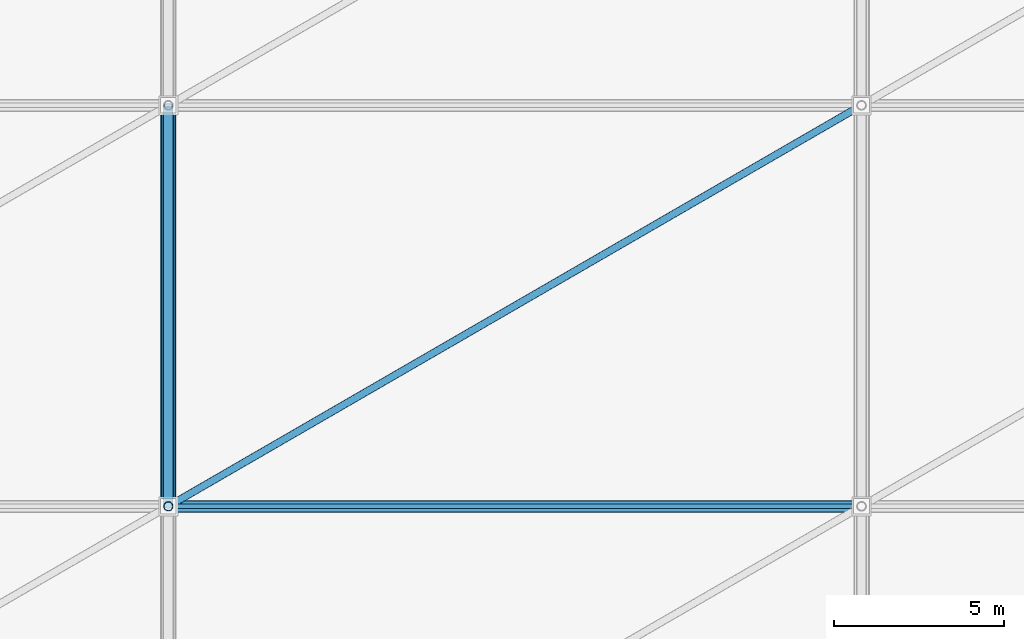
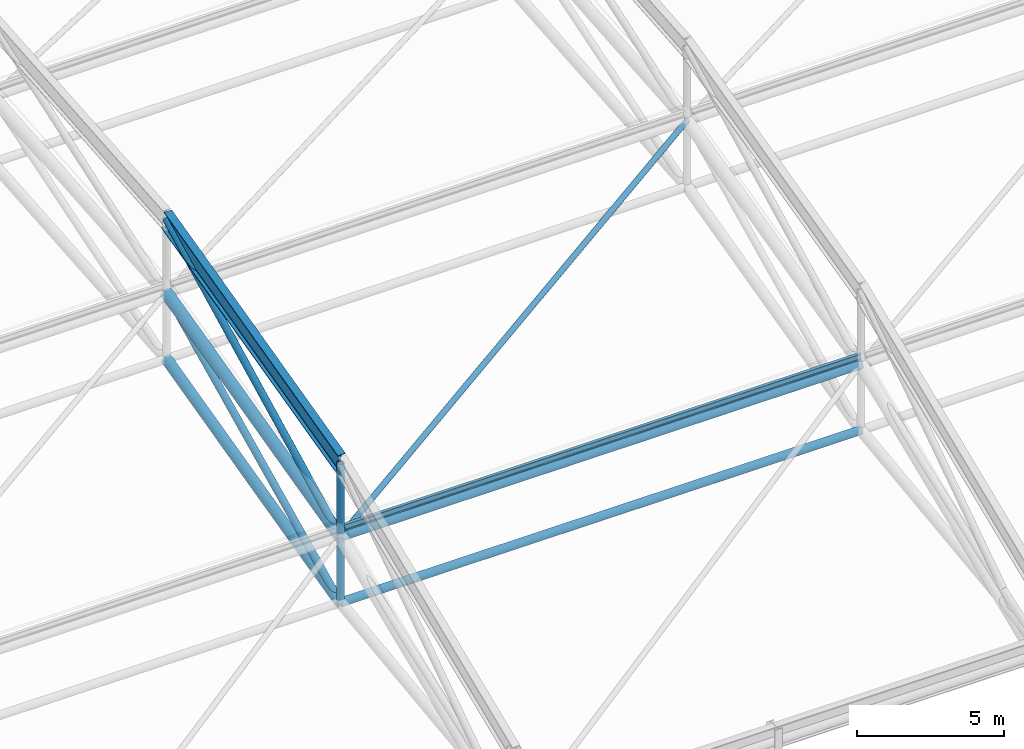
# One storey, part 21 of 135: 10 members, 1 beam.
"""IFC4 building model written with IfcOpenShell, lengths in metres."""

import ifcopenshell
import ifcopenshell.guid

model = None  # the IFC model being written
_history = None  # IfcOwnerHistory: only IFC2X3 demands one
_inside = {}  # id of a spatial element -> (the spatial element, [elements in it])
_under = {}  # id of a project, library or spatial element -> (it, [spatial elements below it])
_declared = {}  # id of a project -> (the project, [libraries it declares])
_typed = {}  # id of a type object -> (the type object, [elements of that type])
_made_of = {}  # id of a material, layer set ... -> (it, [elements and type objects made of it])


def new_model(schema):
    """Start an empty IFC model of exactly this schema.

    Asked for "IFC4X3", IfcOpenShell would pick the latest addendum, in which some entities
    have other attributes; the version numbers below select the first issue.
    IFC2X3 requires an IfcOwnerHistory on every rooted entity: one is made here for all.
    """
    global model, _history
    if schema == "IFC4X3":
        model = ifcopenshell.file(schema_version=(4, 3, 0, 0))
    else:
        model = ifcopenshell.file(schema=schema)
    _inside.clear()
    _under.clear()
    _declared.clear()
    _typed.clear()
    _made_of.clear()
    _history = None
    if model.schema == "IFC2X3":
        org = make("IfcOrganization", Name="unknown")
        user = make(
            "IfcPersonAndOrganization",
            ThePerson=make("IfcPerson", FamilyName="unknown"),
            TheOrganization=org,
        )
        app = make(
            "IfcApplication",
            ApplicationDeveloper=org,
            Version="unknown",
            ApplicationFullName="unknown",
            ApplicationIdentifier="unknown",
        )
        _history = make(
            "IfcOwnerHistory",
            OwningUser=user,
            OwningApplication=app,
            ChangeAction="ADDED",
            CreationDate=0,
        )
    return model


def make(cls, **values):
    """One entity of the class cls with the attributes given. An attribute that is None is left unset."""
    return model.create_entity(
        cls, **{name: value for name, value in values.items() if value is not None}
    )


def rooted(cls, **values):
    """An entity with a GlobalId (a new one), such as an element, a storey or a relation."""
    return make(cls, GlobalId=ifcopenshell.guid.new(), OwnerHistory=_history, **values)


def si_unit(unit_type, name, prefix=None):
    """IfcSIUnit, for example si_unit("LENGTHUNIT", "METRE", prefix="MILLI")."""
    return make("IfcSIUnit", UnitType=unit_type, Prefix=prefix, Name=name)


def assignment(units):
    """IfcUnitAssignment: the units of a project."""
    return None if units is None else make("IfcUnitAssignment", Units=units)


def point(xyz):
    """IfcCartesianPoint."""
    return None if xyz is None else make("IfcCartesianPoint", Coordinates=xyz)


def direction(xyz):
    """IfcDirection."""
    return None if xyz is None else make("IfcDirection", DirectionRatios=xyz)


def frame(location, z_axis=None, x_axis=None):
    """IfcAxis2Placement3D, a coordinate frame: its origin and axes. An axis left out is left unset."""
    return make(
        "IfcAxis2Placement3D",
        Location=point(location),
        Axis=direction(z_axis),
        RefDirection=direction(x_axis),
    )


def frame_2d(location, x_axis=None):
    """IfcAxis2Placement2D, a coordinate frame in the plane: its origin and x axis."""
    return make(
        "IfcAxis2Placement2D", Location=point(location), RefDirection=direction(x_axis)
    )


def origin():
    """The frame at (0, 0, 0) with its axes left unset."""
    return frame((0.0, 0.0, 0.0))


def origin_2d():
    """The frame at (0, 0) in the plane with its x axis left unset."""
    return frame_2d((0.0, 0.0))


def place(relative_to, where):
    """IfcLocalPlacement: puts the frame where relative to a parent placement (None: the world)."""
    return make(
        "IfcLocalPlacement", PlacementRelTo=relative_to, RelativePlacement=where
    )


def context(
    kind, dimensions, precision=None, world=None, true_north=None, identifier=None
):
    """IfcGeometricRepresentationContext, for example the 3D "Model" context."""
    return make(
        "IfcGeometricRepresentationContext",
        ContextIdentifier=identifier,
        ContextType=kind,
        CoordinateSpaceDimension=dimensions,
        Precision=precision,
        WorldCoordinateSystem=world,
        TrueNorth=true_north,
    )


def subcontext(parent, identifier, kind, view, scale=None):
    """IfcGeometricRepresentationSubContext, for example "Body" below "Model"."""
    return make(
        "IfcGeometricRepresentationSubContext",
        ContextIdentifier=identifier,
        ContextType=kind,
        ParentContext=parent,
        TargetScale=scale,
        TargetView=view,
    )


def project(units=None, contexts=None):
    """IfcProject with its units and contexts."""
    return rooted(
        "IfcProject",
        Name="project",
        RepresentationContexts=contexts,
        UnitsInContext=assignment(units),
    )


def spatial(cls, under=None, at=None, **own):
    """A site, building, storey or space (cls), placed at a placement, below another one or the project."""
    s = rooted(cls, ObjectPlacement=at, **own)
    if under is not None:
        _under.setdefault(under.id(), (under, []))[1].append(s)
    return s


def profile(cls, at=None, kind="AREA", **sizes):
    """A parametric profile (cls). Its sizes go by their IFC names, for example OverallWidth=200.0."""
    return make(cls, ProfileType=kind, Position=at, **sizes)


def hollow_circle(**sizes):
    """IfcCircleHollowProfileDef."""
    return profile("IfcCircleHollowProfileDef", **sizes)


def i_section(**sizes):
    """IfcIShapeProfileDef."""
    return profile("IfcIShapeProfileDef", **sizes)


def extrude(swept, where, along, depth):
    """IfcExtrudedAreaSolid: the profile swept, set in the frame where, extruded along a direction by depth."""
    return make(
        "IfcExtrudedAreaSolid",
        SweptArea=swept,
        Position=where,
        ExtrudedDirection=direction(along),
        Depth=depth,
    )


def shape(context_of_items, identifier, shape_type, items):
    """IfcShapeRepresentation: the items that make up one representation, for example the "Body"."""
    return make(
        "IfcShapeRepresentation",
        ContextOfItems=context_of_items,
        RepresentationIdentifier=identifier,
        RepresentationType=shape_type,
        Items=items,
    )


def material(Name=None, Category=None):
    """IfcMaterial."""
    return make("IfcMaterial", Name=Name, Category=Category)


def material_profile(
    of_material, cross_section, Name=None, Category=None, Priority=None
):
    """IfcMaterialProfile: a cross section and its material."""
    return make(
        "IfcMaterialProfile",
        Name=Name,
        Material=of_material,
        Profile=cross_section,
        Priority=Priority,
        Category=Category,
    )


def profile_set(profiles, Name=None, composite=None):
    """IfcMaterialProfileSet."""
    return make(
        "IfcMaterialProfileSet",
        Name=Name,
        MaterialProfiles=profiles,
        CompositeProfile=composite,
    )


def made_of(thing, what):
    """Note that an element or type object is made of a material, layer set ...; save() writes the relation."""
    if what is not None:
        _made_of.setdefault(what.id(), (what, []))[1].append(thing)
    return thing


def type_object(cls, material=None, **own):
    """A type object (cls), such as IfcWallType, which elements share."""
    return made_of(rooted(cls, **own), material)


def element(
    cls,
    number,
    at=None,
    inside=None,
    cuts=None,
    type_object=None,
    material=None,
    context=None,
    identifier="Body",
    shape_type=None,
    held_by="IfcProductDefinitionShape",
    body=None,
    shapes=None,
    **own,
):
    """One element of the class cls, such as IfcWall. Its Tag is "e" and its number.

    at: its placement. inside: the storey or other place that contains it. cuts: it is an
    opening in that element (IfcRelVoidsElement). A single representation is given by context,
    identifier, shape_type and body (its items); several are given by shapes. held_by: the class
    of the entity that holds the representations. save() writes the other relations.
    """
    e = rooted(cls, Tag="e%d" % number, ObjectPlacement=at, **own)
    if body is not None:
        shapes = [shape(context, identifier, shape_type, body)]
    if shapes is not None:
        e.Representation = make(held_by, Representations=shapes)
    if inside is not None:
        _inside.setdefault(inside.id(), (inside, []))[1].append(e)
    if cuts is not None:
        rooted(
            "IfcRelVoidsElement", RelatingBuildingElement=cuts, RelatedOpeningElement=e
        )
    if type_object is not None:
        _typed.setdefault(type_object.id(), (type_object, []))[1].append(e)
    return made_of(e, material)


def aggregate(whole, parts):
    """IfcRelAggregates: a whole, such as a stair, and the parts it consists of."""
    return rooted("IfcRelAggregates", RelatingObject=whole, RelatedObjects=parts)


def save(model, path):
    """Write the relations noted so far, then the file.

    IfcRelAggregates (storeys below a building ...), IfcRelContainedInSpatialStructure (elements
    in a storey), IfcRelDefinesByType, IfcRelAssociatesMaterial and IfcRelDeclares: one each for
    every whole, place, type object, material and project.
    """
    for whole, parts in _under.values():
        aggregate(whole, parts)
    for where, things in _inside.values():
        rooted(
            "IfcRelContainedInSpatialStructure",
            RelatedElements=things,
            RelatingStructure=where,
        )
    for kind, things in _typed.values():
        rooted("IfcRelDefinesByType", RelatedObjects=things, RelatingType=kind)
    for what, things in _made_of.values():
        rooted("IfcRelAssociatesMaterial", RelatedObjects=things, RelatingMaterial=what)
    for by, libraries in _declared.values():
        rooted("IfcRelDeclares", RelatingContext=by, RelatedDefinitions=libraries)
    model.write(path)


model = new_model("IFC4")

# Units and contexts
model_context = context("Model", 3, precision=1e-05, world=origin(), true_north=direction((0.0, 1.0)))
body_context = subcontext(model_context, "Body", "Model", "MODEL_VIEW")
ifc_project = project(units=[si_unit("LENGTHUNIT", "METRE"), si_unit("AREAUNIT", "SQUARE_METRE"), si_unit("VOLUMEUNIT", "CUBIC_METRE"), si_unit("PLANEANGLEUNIT", "RADIAN"), si_unit("MASSUNIT", "GRAM", prefix="KILO")], contexts=[model_context])

# Site, building, storey
site_placement = place(None, origin())
site = spatial("IfcSite", under=ifc_project, at=site_placement, CompositionType="ELEMENT")
building_placement = place(site_placement, origin())
building = spatial("IfcBuilding", under=site, at=building_placement, Name="Brelvane Convention Centre", CompositionType="ELEMENT")
storey_placement = place(building_placement, frame((0.0, 0.0, 15.0)))
storey = spatial("IfcBuildingStorey", under=building, at=storey_placement, Name="L03", CompositionType="ELEMENT", Elevation=15.0)

# Beam
ifc_material_1 = material(Name="Steel E450 (450 MPa)", Category="steel")
ifc_material_profile_1 = material_profile(ifc_material_1, i_section(OverallWidth=0.300048828125, OverallDepth=0.800048828125, WebThickness=0.015380859375, FlangeThickness=0.030029296875, FilletRadius=0.027099609375, at=origin_2d()), Name="NPB 800x300")
ifc_profile_set_1 = profile_set([ifc_material_profile_1], Name="Steel E450 (450 MPa)")
beam_type = type_object("IfcBeamType", Name="Steel Beam B-ST2 (NPB 800x300)", PredefinedType="BEAM", material=ifc_profile_set_1)
beam_placement = place(storey_placement, frame((81.60009765625, 40.60009765625, 10.288818359375), z_axis=(0.0, 0.970462914592, 0.241250350054), x_axis=(-1.0, 0.0, 0.0)))
element("IfcBeam", 1, at=beam_placement, inside=storey, type_object=beam_type, Name="EXO_EXH Exoskeletal Arch Girder 5.2", PredefinedType="BEAM", context=body_context, shape_type="SweptSolid", body=[
    extrude(i_section(OverallWidth=0.300048828125, OverallDepth=0.800048828125, WebThickness=0.015380859375, FlangeThickness=0.030029296875, FilletRadius=0.027099609375, at=origin_2d()), origin(), (0.0, 0.0, 1.0), 12.158935546875),
])

# Members
ifc_material_2 = material(Name="Steel E350 (350 MPa)", Category="steel")
ifc_material_profile_2 = material_profile(ifc_material_2, hollow_circle(Radius=0.136474609375, WallThickness=0.012451171875, at=origin_2d()), Name="CHS 273.0x12.5")
ifc_profile_set_2 = profile_set([ifc_material_profile_2], Name="Steel E350 (350 MPa)")
member_type_1 = type_object("IfcMemberType", Name="Steel Brace SF-DG1 (CHS 273.0x12.5)", PredefinedType="BRACE", material=ifc_profile_set_2)
member_1_placement = place(storey_placement, frame((81.60009765625, 40.60009765625, 4.489013671875), z_axis=(0.0, 0.901249063661, 0.433301425397), x_axis=(-1.0, 0.0, 0.0)))
element("IfcMember", 2, at=member_1_placement, inside=storey, type_object=member_type_1, Name="SF_EXH Space-Frame Web Diagonal D5.2", PredefinedType="BRACE", context=body_context, shape_type="SweptSolid", body=[
    extrude(hollow_circle(Radius=0.136474609375, WallThickness=0.012451171875, at=origin_2d()), origin(), (0.0, 0.0, 1.0), 13.0927734375),
])
member_2_placement = place(storey_placement, frame((81.60009765625, 40.60009765625, 7.22900390625), z_axis=(0.0, 0.891590690557, 0.45284218058), x_axis=(-1.0, 0.0, 0.0)))
element("IfcMember", 3, at=member_2_placement, inside=storey, type_object=member_type_1, Name="EXO_EXH Exoskeletal Arch Web 5.2", PredefinedType="BRACE", context=body_context, shape_type="SweptSolid", body=[
    extrude(hollow_circle(Radius=0.136474609375, WallThickness=0.012451171875, at=origin_2d()), origin(), (0.0, 0.0, 1.0), 13.234619140625),
])
ifc_material_3 = material(Name="Steel E350 (350 MPa)", Category="steel")
ifc_material_profile_3 = material_profile(ifc_material_3, hollow_circle(Radius=0.109619140625, WallThickness=0.010009765625, at=origin_2d()), Name="CHS 219.1x10.0")
ifc_profile_set_3 = profile_set([ifc_material_profile_3], Name="Steel E350 (350 MPa)")
member_type_2 = type_object("IfcMemberType", Name="Steel Brace SF-DG2 (CHS 219.1x10.0)", PredefinedType="BRACE", material=ifc_profile_set_3)
member_3_placement = place(storey_placement, frame((81.60009765625, 40.60009765625, 7.22900390625), z_axis=(0.858995025138, 0.496863825785, 0.123506620934), x_axis=(-0.500697290317, 0.865622448571, 0.0)))
element("IfcMember", 4, at=member_3_placement, inside=storey, type_object=member_type_2, Name="SF_EXH Roof Diaphragm Brace PB5.2", PredefinedType="BRACE", context=body_context, shape_type="SweptSolid", body=[
    extrude(hollow_circle(Radius=0.109619140625, WallThickness=0.010009765625, at=origin_2d()), origin(), (0.0, 0.0, 1.0), 23.74853515625),
])
ifc_material_4 = material(Name="Steel E450 (450 MPa)", Category="steel")
ifc_material_profile_4 = material_profile(ifc_material_4, hollow_circle(Radius=0.203125, WallThickness=0.01611328125, at=origin_2d()), Name="CHS 406.4x16.0")
ifc_profile_set_4 = profile_set([ifc_material_profile_4], Name="Steel E450 (450 MPa)")
member_type_3 = type_object("IfcMemberType", Name="Steel Chord SF-BC1 (CHS 406.4x16.0)", PredefinedType="CHORD", material=ifc_profile_set_4)
member_4_placement = place(storey_placement, frame((81.60009765625, 40.60009765625, 4.489013671875), z_axis=(0.0, 0.97046761544, 0.241231439458), x_axis=(-1.0, 0.0, 0.0)))
element("IfcMember", 5, at=member_4_placement, inside=storey, type_object=member_type_3, Name="SF_EXH Space-Frame Bottom Chord B5.2", PredefinedType="CHORD", context=body_context, shape_type="SweptSolid", body=[
    extrude(hollow_circle(Radius=0.203125, WallThickness=0.01611328125, at=origin_2d()), origin(), (0.0, 0.0, 1.0), 12.158935546875),
])
ifc_material_5 = material(Name="Steel E350 (350 MPa)", Category="steel")
ifc_material_profile_5 = material_profile(ifc_material_5, hollow_circle(Radius=0.161865234375, WallThickness=0.012451171875, at=origin_2d()), Name="CHS 323.9x12.5")
ifc_profile_set_5 = profile_set([ifc_material_profile_5], Name="Steel E350 (350 MPa)")
member_type_4 = type_object("IfcMemberType", Name="Steel Chord SF-BC2 (CHS 323.9x12.5)", PredefinedType="CHORD", material=ifc_profile_set_5)
member_5_placement = place(storey_placement, frame((81.60009765625, 40.60009765625, 4.489013671875), z_axis=(1.0, 0.0, 0.0), x_axis=(0.0, 1.0, 0.0)))
element("IfcMember", 6, at=member_5_placement, inside=storey, type_object=member_type_4, Name="SF_EXH Longitudinal Bottom Chord LB5.2", PredefinedType="CHORD", context=body_context, shape_type="SweptSolid", body=[
    extrude(hollow_circle(Radius=0.161865234375, WallThickness=0.012451171875, at=origin_2d()), origin(), (0.0, 0.0, 1.0), 20.39990234375),
])
ifc_material_6 = material(Name="Steel E450 (450 MPa)", Category="steel")
ifc_material_profile_6 = material_profile(ifc_material_6, hollow_circle(Radius=0.228515625, WallThickness=0.02001953125, at=origin_2d()), Name="CHS 457.0x20.0")
ifc_profile_set_6 = profile_set([ifc_material_profile_6], Name="Steel E450 (450 MPa)")
member_type_5 = type_object("IfcMemberType", Name="Steel Chord SF-TC1 (CHS 457.0x20.0)", PredefinedType="CHORD", material=ifc_profile_set_6)
member_6_placement = place(storey_placement, frame((81.60009765625, 40.60009765625, 7.22900390625), z_axis=(0.0, 0.97046761544, 0.241231439458), x_axis=(-1.0, 0.0, 0.0)))
element("IfcMember", 7, at=member_6_placement, inside=storey, type_object=member_type_5, Name="SF_EXH Space-Frame Top Chord T5.2", PredefinedType="CHORD", context=body_context, shape_type="SweptSolid", body=[
    extrude(hollow_circle(Radius=0.228515625, WallThickness=0.02001953125, at=origin_2d()), origin(), (0.0, 0.0, 1.0), 12.158935546875),
])
ifc_material_7 = material(Name="Steel E450 (450 MPa)", Category="steel")
ifc_material_profile_7 = material_profile(ifc_material_7, hollow_circle(Radius=0.177734375, WallThickness=0.01611328125, at=origin_2d()), Name="CHS 355.6x16.0")
ifc_profile_set_7 = profile_set([ifc_material_profile_7], Name="Steel E450 (450 MPa)")
member_type_6 = type_object("IfcMemberType", Name="Steel Chord SF-TC2 (CHS 355.6x16.0)", PredefinedType="CHORD", material=ifc_profile_set_7)
member_7_placement = place(storey_placement, frame((81.60009765625, 40.60009765625, 7.22900390625), z_axis=(1.0, 0.0, 0.0), x_axis=(0.0, 1.0, 0.0)))
element("IfcMember", 8, at=member_7_placement, inside=storey, type_object=member_type_6, Name="SF_EXH Longitudinal Top Chord LT5.2", PredefinedType="CHORD", context=body_context, shape_type="SweptSolid", body=[
    extrude(hollow_circle(Radius=0.177734375, WallThickness=0.01611328125, at=origin_2d()), origin(), (0.0, 0.0, 1.0), 20.39990234375),
])
ifc_material_8 = material(Name="Steel E350 (350 MPa)", Category="steel")
ifc_material_profile_8 = material_profile(ifc_material_8, i_section(OverallWidth=0.125, OverallDepth=0.25, WebThickness=0.0068359375, FlangeThickness=0.012451171875, FilletRadius=0.012939453125, at=origin_2d()), Name="ISMB 250")
ifc_profile_set_8 = profile_set([ifc_material_profile_8], Name="Steel E350 (350 MPa)")
member_type_7 = type_object("IfcMemberType", Name="Steel Purlin PR-ST1 (ISMB 250)", PredefinedType="PURLIN", material=ifc_profile_set_8)
member_8_placement = place(storey_placement, frame((81.60009765625, 40.60009765625, 7.56396484375), z_axis=(1.0, 0.0, 0.0), x_axis=(0.0, 1.0, 0.0)))
element("IfcMember", 9, at=member_8_placement, inside=storey, type_object=member_type_7, Name="SF_EXH Roof Purlin P5.2", PredefinedType="PURLIN", context=body_context, shape_type="SweptSolid", body=[
    extrude(i_section(OverallWidth=0.125, OverallDepth=0.25, WebThickness=0.0068359375, FlangeThickness=0.012451171875, FilletRadius=0.012939453125, at=origin_2d()), origin(), (0.0, 0.0, 1.0), 20.39990234375),
])
ifc_material_9 = material(Name="Steel E350 (350 MPa)", Category="steel")
ifc_material_profile_9 = material_profile(ifc_material_9, hollow_circle(Radius=0.136474609375, WallThickness=0.012451171875, at=origin_2d()), Name="CHS 273.0x12.5")
ifc_profile_set_9 = profile_set([ifc_material_profile_9], Name="Steel E350 (350 MPa)")
member_type_8 = type_object("IfcMemberType", Name="Steel Strut SF-VT1 (CHS 273.0x12.5)", PredefinedType="STRUT", material=ifc_profile_set_9)
member_9_placement = place(storey_placement, frame((81.60009765625, 40.60009765625, 4.489013671875), z_axis=(0.0, 0.0, 1.0), x_axis=(1.0, 0.0, 0.0)))
element("IfcMember", 10, at=member_9_placement, inside=storey, type_object=member_type_8, Name="SF_EXH Space-Frame Post V5.1", PredefinedType="STRUT", context=body_context, shape_type="SweptSolid", body=[
    extrude(hollow_circle(Radius=0.136474609375, WallThickness=0.012451171875, at=origin_2d()), origin(), (0.0, 0.0, 1.0), 2.739990234375),
])
member_10_placement = place(storey_placement, frame((81.60009765625, 40.60009765625, 7.22900390625), z_axis=(0.0, 0.0, 1.0), x_axis=(1.0, 0.0, 0.0)))
element("IfcMember", 11, at=member_10_placement, inside=storey, type_object=member_type_8, Name="EXO_EXH Roof Suspension Hanger 5.1", PredefinedType="STRUT", context=body_context, shape_type="SweptSolid", body=[
    extrude(hollow_circle(Radius=0.136474609375, WallThickness=0.012451171875, at=origin_2d()), origin(), (0.0, 0.0, 1.0), 3.059814453125),
])

save(model, "model.ifc")
